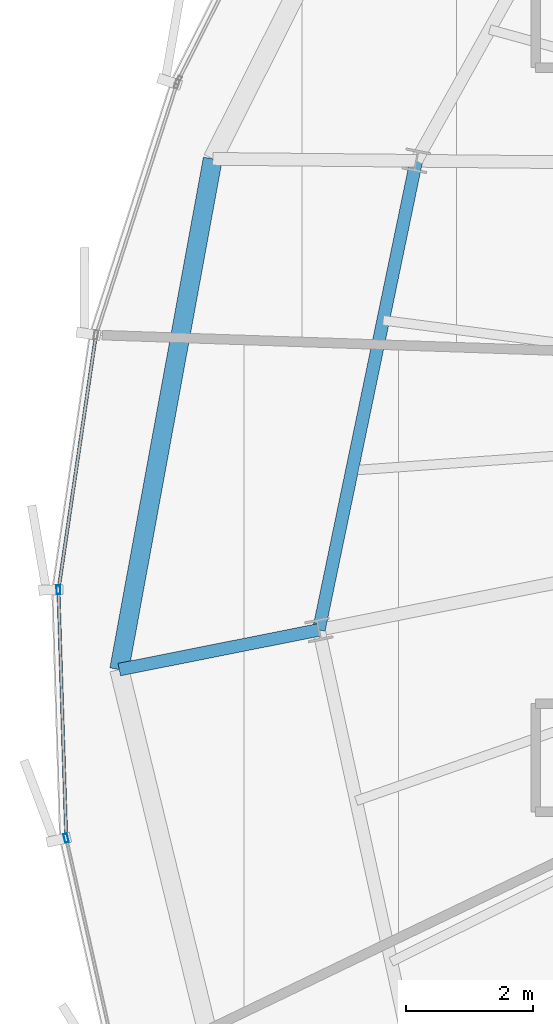
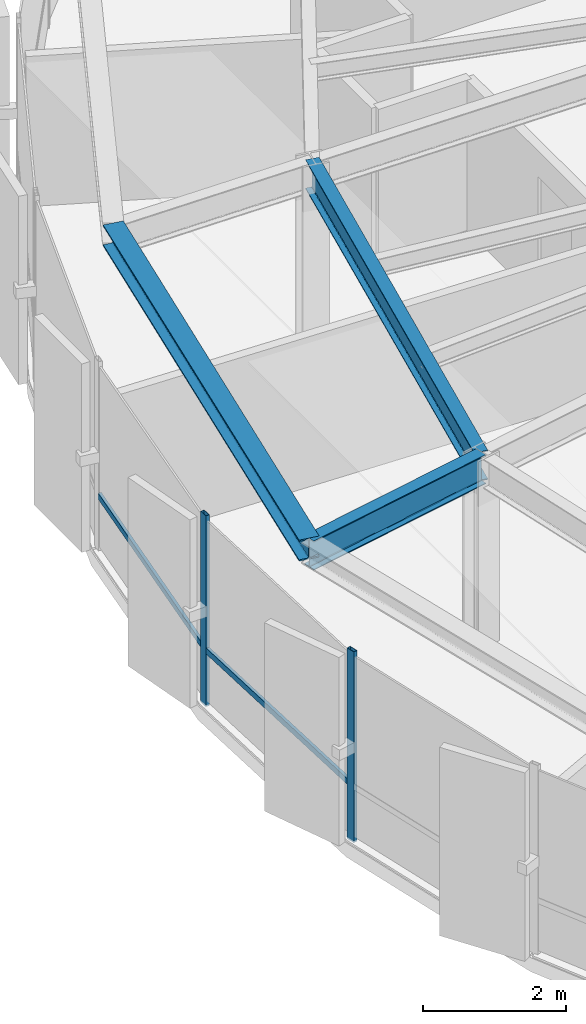
# One storey, part 8 of 35: 4 members, 3 beams, 1 element without a shape of its own.
"""IFC4 building model written with IfcOpenShell, lengths in metres."""

import ifcopenshell
import ifcopenshell.guid

model = None  # the IFC model being written
_history = None  # IfcOwnerHistory: only IFC2X3 demands one
_inside = {}  # id of a spatial element -> (the spatial element, [elements in it])
_under = {}  # id of a project, library or spatial element -> (it, [spatial elements below it])
_declared = {}  # id of a project -> (the project, [libraries it declares])
_typed = {}  # id of a type object -> (the type object, [elements of that type])
_made_of = {}  # id of a material, layer set ... -> (it, [elements and type objects made of it])


def new_model(schema):
    """Start an empty IFC model of exactly this schema.

    Asked for "IFC4X3", IfcOpenShell would pick the latest addendum, in which some entities
    have other attributes; the version numbers below select the first issue.
    IFC2X3 requires an IfcOwnerHistory on every rooted entity: one is made here for all.
    """
    global model, _history
    if schema == "IFC4X3":
        model = ifcopenshell.file(schema_version=(4, 3, 0, 0))
    else:
        model = ifcopenshell.file(schema=schema)
    _inside.clear()
    _under.clear()
    _declared.clear()
    _typed.clear()
    _made_of.clear()
    _history = None
    if model.schema == "IFC2X3":
        org = make("IfcOrganization", Name="unknown")
        user = make(
            "IfcPersonAndOrganization",
            ThePerson=make("IfcPerson", FamilyName="unknown"),
            TheOrganization=org,
        )
        app = make(
            "IfcApplication",
            ApplicationDeveloper=org,
            Version="unknown",
            ApplicationFullName="unknown",
            ApplicationIdentifier="unknown",
        )
        _history = make(
            "IfcOwnerHistory",
            OwningUser=user,
            OwningApplication=app,
            ChangeAction="ADDED",
            CreationDate=0,
        )
    return model


def make(cls, **values):
    """One entity of the class cls with the attributes given. An attribute that is None is left unset."""
    return model.create_entity(
        cls, **{name: value for name, value in values.items() if value is not None}
    )


def rooted(cls, **values):
    """An entity with a GlobalId (a new one), such as an element, a storey or a relation."""
    return make(cls, GlobalId=ifcopenshell.guid.new(), OwnerHistory=_history, **values)


def si_unit(unit_type, name, prefix=None):
    """IfcSIUnit, for example si_unit("LENGTHUNIT", "METRE", prefix="MILLI")."""
    return make("IfcSIUnit", UnitType=unit_type, Prefix=prefix, Name=name)


def assignment(units):
    """IfcUnitAssignment: the units of a project."""
    return None if units is None else make("IfcUnitAssignment", Units=units)


def point(xyz):
    """IfcCartesianPoint."""
    return None if xyz is None else make("IfcCartesianPoint", Coordinates=xyz)


def direction(xyz):
    """IfcDirection."""
    return None if xyz is None else make("IfcDirection", DirectionRatios=xyz)


def frame(location, z_axis=None, x_axis=None):
    """IfcAxis2Placement3D, a coordinate frame: its origin and axes. An axis left out is left unset."""
    return make(
        "IfcAxis2Placement3D",
        Location=point(location),
        Axis=direction(z_axis),
        RefDirection=direction(x_axis),
    )


def frame_2d(location, x_axis=None):
    """IfcAxis2Placement2D, a coordinate frame in the plane: its origin and x axis."""
    return make(
        "IfcAxis2Placement2D", Location=point(location), RefDirection=direction(x_axis)
    )


def origin():
    """The frame at (0, 0, 0) with its axes left unset."""
    return frame((0.0, 0.0, 0.0))


def origin_2d():
    """The frame at (0, 0) in the plane with its x axis left unset."""
    return frame_2d((0.0, 0.0))


def place(relative_to, where):
    """IfcLocalPlacement: puts the frame where relative to a parent placement (None: the world)."""
    return make(
        "IfcLocalPlacement", PlacementRelTo=relative_to, RelativePlacement=where
    )


def context(
    kind, dimensions, precision=None, world=None, true_north=None, identifier=None
):
    """IfcGeometricRepresentationContext, for example the 3D "Model" context."""
    return make(
        "IfcGeometricRepresentationContext",
        ContextIdentifier=identifier,
        ContextType=kind,
        CoordinateSpaceDimension=dimensions,
        Precision=precision,
        WorldCoordinateSystem=world,
        TrueNorth=true_north,
    )


def subcontext(parent, identifier, kind, view, scale=None):
    """IfcGeometricRepresentationSubContext, for example "Body" below "Model"."""
    return make(
        "IfcGeometricRepresentationSubContext",
        ContextIdentifier=identifier,
        ContextType=kind,
        ParentContext=parent,
        TargetScale=scale,
        TargetView=view,
    )


def project(units=None, contexts=None):
    """IfcProject with its units and contexts."""
    return rooted(
        "IfcProject",
        Name="project",
        RepresentationContexts=contexts,
        UnitsInContext=assignment(units),
    )


def spatial(cls, under=None, at=None, **own):
    """A site, building, storey or space (cls), placed at a placement, below another one or the project."""
    s = rooted(cls, ObjectPlacement=at, **own)
    if under is not None:
        _under.setdefault(under.id(), (under, []))[1].append(s)
    return s


def profile(cls, at=None, kind="AREA", **sizes):
    """A parametric profile (cls). Its sizes go by their IFC names, for example OverallWidth=200.0."""
    return make(cls, ProfileType=kind, Position=at, **sizes)


def hollow_rectangle(**sizes):
    """IfcRectangleHollowProfileDef."""
    return profile("IfcRectangleHollowProfileDef", **sizes)


def i_section(**sizes):
    """IfcIShapeProfileDef."""
    return profile("IfcIShapeProfileDef", **sizes)


def extrude(swept, where, along, depth):
    """IfcExtrudedAreaSolid: the profile swept, set in the frame where, extruded along a direction by depth."""
    return make(
        "IfcExtrudedAreaSolid",
        SweptArea=swept,
        Position=where,
        ExtrudedDirection=direction(along),
        Depth=depth,
    )


def shape(context_of_items, identifier, shape_type, items):
    """IfcShapeRepresentation: the items that make up one representation, for example the "Body"."""
    return make(
        "IfcShapeRepresentation",
        ContextOfItems=context_of_items,
        RepresentationIdentifier=identifier,
        RepresentationType=shape_type,
        Items=items,
    )


def source(mapping_origin, context_of_items, identifier, shape_type, items):
    """IfcRepresentationMap: a shape defined once, which mapped items show again and again."""
    return make(
        "IfcRepresentationMap",
        MappingOrigin=mapping_origin,
        MappedRepresentation=shape(context_of_items, identifier, shape_type, items),
    )


def transform(
    local_origin,
    x_axis=None,
    y_axis=None,
    z_axis=None,
    scale=None,
    scale2=None,
    scale3=None,
    uniform=True,
):
    """IfcCartesianTransformationOperator3D, or its non-uniform kind. x_axis, y_axis, z_axis: its Axis1, 2, 3."""
    if uniform:
        return make(
            "IfcCartesianTransformationOperator3D",
            Axis1=direction(x_axis),
            Axis2=direction(y_axis),
            LocalOrigin=point(local_origin),
            Scale=scale,
            Axis3=direction(z_axis),
        )
    return make(
        "IfcCartesianTransformationOperator3DnonUniform",
        Axis1=direction(x_axis),
        Axis2=direction(y_axis),
        LocalOrigin=point(local_origin),
        Scale=scale,
        Axis3=direction(z_axis),
        Scale2=scale2,
        Scale3=scale3,
    )


def mapped(mapping_source, mapping_target):
    """IfcMappedItem: shows the shape of a source again, moved by a transform."""
    return make(
        "IfcMappedItem", MappingSource=mapping_source, MappingTarget=mapping_target
    )


def material(Name=None, Category=None):
    """IfcMaterial."""
    return make("IfcMaterial", Name=Name, Category=Category)


def layer(
    of_material, thickness, ventilated=None, Name=None, Category=None, Priority=None
):
    """IfcMaterialLayer: one layer of a wall or slab, of a material (None: an air gap)."""
    return make(
        "IfcMaterialLayer",
        Material=of_material,
        LayerThickness=thickness,
        IsVentilated=ventilated,
        Name=Name,
        Category=Category,
        Priority=Priority,
    )


def layer_set(layers, Name=None):
    """IfcMaterialLayerSet."""
    return make("IfcMaterialLayerSet", MaterialLayers=layers, LayerSetName=Name)


def material_profile(
    of_material, cross_section, Name=None, Category=None, Priority=None
):
    """IfcMaterialProfile: a cross section and its material."""
    return make(
        "IfcMaterialProfile",
        Name=Name,
        Material=of_material,
        Profile=cross_section,
        Priority=Priority,
        Category=Category,
    )


def profile_set(profiles, Name=None, composite=None):
    """IfcMaterialProfileSet."""
    return make(
        "IfcMaterialProfileSet",
        Name=Name,
        MaterialProfiles=profiles,
        CompositeProfile=composite,
    )


def made_of(thing, what):
    """Note that an element or type object is made of a material, layer set ...; save() writes the relation."""
    if what is not None:
        _made_of.setdefault(what.id(), (what, []))[1].append(thing)
    return thing


def type_object(cls, material=None, **own):
    """A type object (cls), such as IfcWallType, which elements share."""
    return made_of(rooted(cls, **own), material)


def element(
    cls,
    number,
    at=None,
    inside=None,
    cuts=None,
    type_object=None,
    material=None,
    context=None,
    identifier="Body",
    shape_type=None,
    held_by="IfcProductDefinitionShape",
    body=None,
    shapes=None,
    **own,
):
    """One element of the class cls, such as IfcWall. Its Tag is "e" and its number.

    at: its placement. inside: the storey or other place that contains it. cuts: it is an
    opening in that element (IfcRelVoidsElement). A single representation is given by context,
    identifier, shape_type and body (its items); several are given by shapes. held_by: the class
    of the entity that holds the representations. save() writes the other relations.
    """
    e = rooted(cls, Tag="e%d" % number, ObjectPlacement=at, **own)
    if body is not None:
        shapes = [shape(context, identifier, shape_type, body)]
    if shapes is not None:
        e.Representation = make(held_by, Representations=shapes)
    if inside is not None:
        _inside.setdefault(inside.id(), (inside, []))[1].append(e)
    if cuts is not None:
        rooted(
            "IfcRelVoidsElement", RelatingBuildingElement=cuts, RelatedOpeningElement=e
        )
    if type_object is not None:
        _typed.setdefault(type_object.id(), (type_object, []))[1].append(e)
    return made_of(e, material)


def aggregate(whole, parts):
    """IfcRelAggregates: a whole, such as a stair, and the parts it consists of."""
    return rooted("IfcRelAggregates", RelatingObject=whole, RelatedObjects=parts)


def save(model, path):
    """Write the relations noted so far, then the file.

    IfcRelAggregates (storeys below a building ...), IfcRelContainedInSpatialStructure (elements
    in a storey), IfcRelDefinesByType, IfcRelAssociatesMaterial and IfcRelDeclares: one each for
    every whole, place, type object, material and project.
    """
    for whole, parts in _under.values():
        aggregate(whole, parts)
    for where, things in _inside.values():
        rooted(
            "IfcRelContainedInSpatialStructure",
            RelatedElements=things,
            RelatingStructure=where,
        )
    for kind, things in _typed.values():
        rooted("IfcRelDefinesByType", RelatedObjects=things, RelatingType=kind)
    for what, things in _made_of.values():
        rooted("IfcRelAssociatesMaterial", RelatedObjects=things, RelatingMaterial=what)
    for by, libraries in _declared.values():
        rooted("IfcRelDeclares", RelatingContext=by, RelatedDefinitions=libraries)
    model.write(path)


model = new_model("IFC4")

# Units and contexts
model_context = context("Model", 3, precision=1e-05, world=origin(), true_north=direction((0.0, 1.0)))
body_context = subcontext(model_context, "Body", "Model", "MODEL_VIEW")
ifc_project = project(units=[si_unit("LENGTHUNIT", "METRE"), si_unit("AREAUNIT", "SQUARE_METRE"), si_unit("VOLUMEUNIT", "CUBIC_METRE"), si_unit("PLANEANGLEUNIT", "RADIAN"), si_unit("MASSUNIT", "GRAM", prefix="KILO"), si_unit("THERMODYNAMICTEMPERATUREUNIT", "KELVIN")], contexts=[model_context])

# Site, building, storey
site_placement = place(None, origin())
site = spatial("IfcSite", under=ifc_project, at=site_placement, CompositionType="ELEMENT")
building_placement = place(site_placement, origin())
building = spatial("IfcBuilding", under=site, at=building_placement, Name="Kethvar Cultural Tower", CompositionType="ELEMENT")
storey_placement = place(building_placement, frame((0.0, 0.0, 204.39990234375)))
storey = spatial("IfcBuildingStorey", under=building, at=storey_placement, Name="L53", CompositionType="ELEMENT", Elevation=204.39990234375)

# Beams
ifc_material_1 = material(Name="Steel S355J2", Category="steel")
ifc_material_profile_1 = material_profile(ifc_material_1, i_section(OverallWidth=0.199951171875, OverallDepth=0.5, WebThickness=0.01025390625, FlangeThickness=0.01611328125, FilletRadius=0.02099609375, at=origin_2d()), Name="Steel S355J2 — IPE500")
ifc_profile_set_1 = profile_set([ifc_material_profile_1], Name="Steel S355J2 — IPE500")
beam_type_1 = type_object("IfcBeamType", Name="BM-IPE500", PredefinedType="BEAM", material=ifc_profile_set_1)
shared_shape_1 = source(origin(), body_context, "Body", "SweptSolid", [
    extrude(i_section(OverallWidth=0.199951171875, OverallDepth=0.5, WebThickness=0.01025390625, FlangeThickness=0.01611328125, FilletRadius=0.02099609375, at=origin_2d()), origin(), (0.0, 0.0, 1.0), 3.199951171875),
])
beam_1_placement = place(storey_placement, frame((27.492919921875, 23.959716796875, 3.008056640625), z_axis=(-0.980770949178, -0.195162356126, 0.0), x_axis=(0.195162356126, -0.980770949178, 0.0)))
element("IfcBeam", 1, at=beam_1_placement, inside=storey, type_object=beam_type_1, Name="L53 Perimeter Cantilever Beam RC-09", PredefinedType="BEAM", context=body_context, shape_type="MappedRepresentation", body=[
    mapped(shared_shape_1, transform((0.0, 0.0, 0.0), scale=1.0)),
])
shared_shape_2 = source(origin(), body_context, "Body", "SweptSolid", [
    extrude(i_section(OverallWidth=0.199951171875, OverallDepth=0.5, WebThickness=0.01025390625, FlangeThickness=0.01611328125, FilletRadius=0.02099609375, at=origin_2d()), origin(), (0.0, 0.0, 1.0), 7.533447265625),
])
beam_2_placement = place(storey_placement, frame((29.02490234375, 31.335693359375, 3.008056640625), z_axis=(-0.203358905185, -0.979104261906, 0.0), x_axis=(0.979104261906, -0.203358905185, 0.0)))
element("IfcBeam", 2, at=beam_2_placement, inside=storey, type_object=beam_type_1, Name="L53 Column Ring Tie Beam CR-08", PredefinedType="BEAM", context=body_context, shape_type="MappedRepresentation", body=[
    mapped(shared_shape_2, transform((0.0, 0.0, 0.0), scale=1.0)),
])
ifc_material_profile_2 = material_profile(ifc_material_1, i_section(OverallWidth=0.300048828125, OverallDepth=0.360107421875, WebThickness=0.012451171875, FlangeThickness=0.0224609375, FilletRadius=0.027099609375, at=origin_2d()), Name="Steel S355J2 — HEB360")
ifc_profile_set_2 = profile_set([ifc_material_profile_2], Name="Steel S355J2 — HEB360")
beam_type_2 = type_object("IfcBeamType", Name="BM-SP360", PredefinedType="SPANDREL", material=ifc_profile_set_2)
shared_shape_3 = source(origin(), body_context, "Body", "SweptSolid", [
    extrude(i_section(OverallWidth=0.300048828125, OverallDepth=0.360107421875, WebThickness=0.012451171875, FlangeThickness=0.0224609375, FilletRadius=0.027099609375, at=origin_2d()), origin(), (0.0, 0.0, 1.0), 8.16455078125),
])
beam_3_placement = place(storey_placement, frame((25.824951171875, 31.3662109375, 3.078125), z_axis=(-0.180103654572, -0.983647636916, 0.0), x_axis=(0.983647636916, -0.180103654572, 0.0)))
element("IfcBeam", 3, at=beam_3_placement, inside=storey, type_object=beam_type_2, Name="L53 Perimeter Spandrel Beam SP-08", PredefinedType="SPANDREL", context=body_context, shape_type="MappedRepresentation", body=[
    mapped(shared_shape_3, transform((0.0, 0.0, 0.0), scale=1.0)),
])

# Curtain wall, members
ifc_material_2 = material(Name="Aluminium 6063-T6", Category="aluminium")
ifc_layer = layer(ifc_material_2, 0.179931640625, Name="Aluminium 6063-T6", Category="aluminium")
ifc_layer_set = layer_set([ifc_layer], Name="Aluminium 6063-T6 (180 mm)")
curtain_wall_type = type_object("IfcCurtainWallType", Name="CW-SYS-04-Z34", PredefinedType="NOTDEFINED", material=ifc_layer_set)
curtain_wall_placement = place(storey_placement, origin())
curtain_wall = element("IfcCurtainWall", 4, at=curtain_wall_placement, inside=storey, type_object=curtain_wall_type, Name="L53 Curtain Wall Run 03", PredefinedType="NOTDEFINED")
ifc_material_profile_3 = material_profile(ifc_material_2, hollow_rectangle(XDim=0.06005859375, YDim=0.139892578125, WallThickness=0.0048828125, at=origin_2d()), Name="Aluminium 6063-T6 — RHS140x60x5")
ifc_profile_set_3 = profile_set([ifc_material_profile_3], Name="Aluminium 6063-T6 — RHS140x60x5")
member_type_1 = type_object("IfcMemberType", Name="CW-SYS-04-Z34-MUL", PredefinedType="MULLION", material=ifc_profile_set_3)
shared_shape_4 = source(origin(), body_context, "Body", "SweptSolid", [
    extrude(hollow_rectangle(XDim=0.06005859375, YDim=0.139892578125, WallThickness=0.0048828125, at=origin_2d()), origin(), (0.0, 0.0, 1.0), 3.260009765625),
])
member_1_placement = place(storey_placement, frame((23.398193359375, 24.59228515625, 0.0), z_axis=(0.0, 0.0, 1.0), x_axis=(0.999507656199, 0.031375869698, 0.0)))
member_1 = element("IfcMember", 5, at=member_1_placement, type_object=member_type_1, Name="CW-L53-R03 Mullion 3", PredefinedType="MULLION", context=body_context, shape_type="MappedRepresentation", body=[
    mapped(shared_shape_4, transform((0.0, 0.0, 0.0), scale=1.0)),
])
member_2_placement = place(storey_placement, frame((23.518798828125, 20.68603515625, 0.0), z_axis=(0.0, 0.0, 1.0), x_axis=(0.975657177075, 0.219301328821, 0.0)))
member_2 = element("IfcMember", 6, at=member_2_placement, type_object=member_type_1, Name="CW-L53-R03 Mullion 4", PredefinedType="MULLION", context=body_context, shape_type="MappedRepresentation", body=[
    mapped(shared_shape_4, transform((0.0, 0.0, 0.0), scale=1.0)),
])
ifc_material_profile_4 = material_profile(ifc_material_2, hollow_rectangle(XDim=0.050048828125, YDim=0.10009765625, WallThickness=0.00390625, at=origin_2d()), Name="Aluminium 6063-T6 — RHS100x50x4")
ifc_profile_set_4 = profile_set([ifc_material_profile_4], Name="Aluminium 6063-T6 — RHS100x50x4")
member_type_2 = type_object("IfcMemberType", Name="CW-SYS-04-Z34-TRN", PredefinedType="USERDEFINED", material=ifc_profile_set_4)
shared_shape_5 = source(origin(), body_context, "Body", "SweptSolid", [
    extrude(hollow_rectangle(XDim=0.050048828125, YDim=0.10009765625, WallThickness=0.00390625, at=origin_2d()), origin(), (0.0, 0.0, 1.0), 3.981201171875),
])
member_3_placement = place(storey_placement, frame((23.98193359375, 28.5546875, 0.9501953125), z_axis=(-0.145335099668, -0.989382488628, 0.0), x_axis=(0.989382488628, -0.145335099668, 0.0)))
member_3 = element("IfcMember", 7, at=member_3_placement, type_object=member_type_2, Name="CW-L53-R03 Transom 2", ObjectType="TRANSOM", PredefinedType="USERDEFINED", context=body_context, shape_type="MappedRepresentation", body=[
    mapped(shared_shape_5, transform((0.0, 0.0, 0.0), scale=1.0)),
])
shared_shape_6 = source(origin(), body_context, "Body", "SweptSolid", [
    extrude(hollow_rectangle(XDim=0.050048828125, YDim=0.10009765625, WallThickness=0.00390625, at=origin_2d()), origin(), (0.0, 0.0, 1.0), 3.8427734375),
])
member_4_placement = place(storey_placement, frame((23.3994140625, 24.54931640625, 0.9501953125), z_axis=(0.031385496622, -0.999507353951, 0.0), x_axis=(0.999507353951, 0.031385496622, 0.0)))
member_4 = element("IfcMember", 8, at=member_4_placement, type_object=member_type_2, Name="CW-L53-R03 Transom 3", ObjectType="TRANSOM", PredefinedType="USERDEFINED", context=body_context, shape_type="MappedRepresentation", body=[
    mapped(shared_shape_6, transform((0.0, 0.0, 0.0), scale=1.0)),
])
aggregate(curtain_wall, [member_1, member_2, member_3, member_4])

save(model, "model.ifc")
